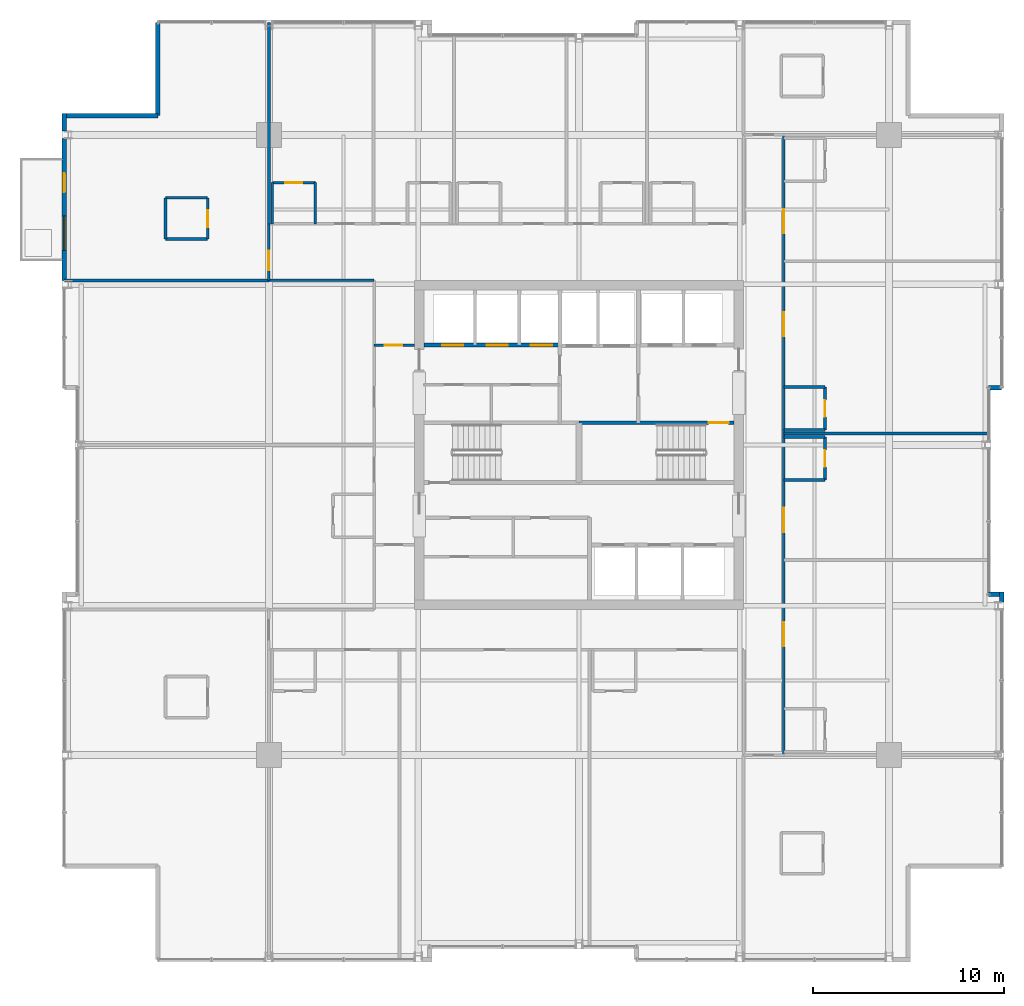
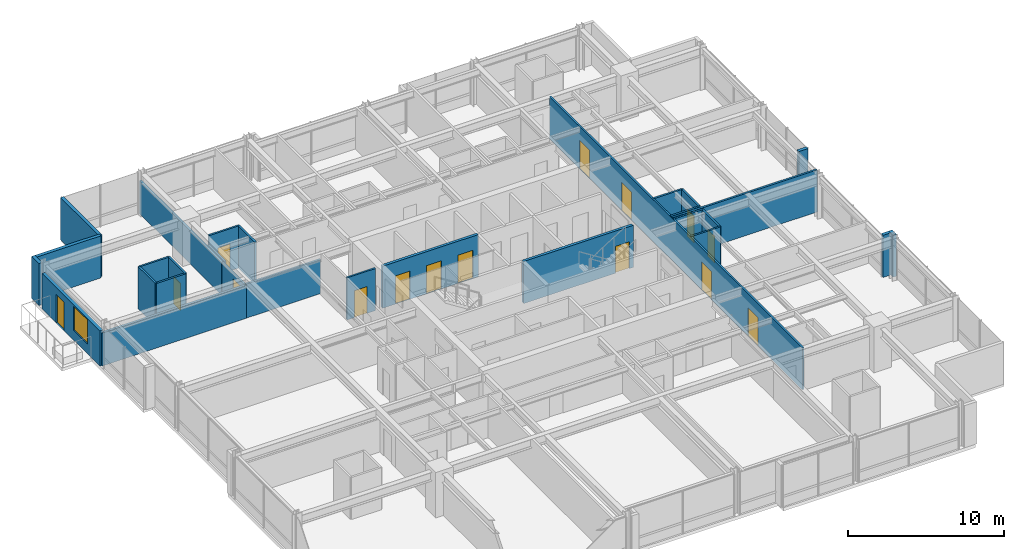
# One storey, part 27 of 31: 29 walls, 15 doors, 1 window, 16 openings.
"""IFC4 building model written with IfcOpenShell, lengths in metres."""

from ifc_helpers import new_model, si_unit, direction, frame, frame_2d, origin, place, context, subcontext, project, spatial, rectangle, extrude, material, layer, layer_set, type_object, element, fill, save


model = new_model("IFC4")

# Units and contexts
model_context = context("Model", 3, precision=1e-05, world=origin(), true_north=direction((0.0, 1.0)))
body_context = subcontext(model_context, "Body", "Model", "MODEL_VIEW")
ifc_project = project(units=[si_unit("LENGTHUNIT", "METRE"), si_unit("AREAUNIT", "SQUARE_METRE"), si_unit("VOLUMEUNIT", "CUBIC_METRE"), si_unit("PLANEANGLEUNIT", "RADIAN"), si_unit("MASSUNIT", "GRAM", prefix="KILO")], contexts=[model_context])

# Site, building, storey
site_placement = place(None, origin())
site = spatial("IfcSite", under=ifc_project, at=site_placement, CompositionType="ELEMENT")
building_placement = place(site_placement, origin())
building = spatial("IfcBuilding", under=site, at=building_placement, Name="Drelvath Grand Hotel", CompositionType="ELEMENT")
storey_placement = place(building_placement, frame((0.0, 0.0, 185.89990234375)))
storey = spatial("IfcBuildingStorey", under=building, at=storey_placement, Name="L48", CompositionType="ELEMENT", Elevation=185.89990234375)

# Wall, openings, doors
ifc_material_1 = material(Name="Concrete C40/50", Category="concrete")
ifc_layer_1 = layer(ifc_material_1, 0.199951171875)
ifc_layer_set_1 = layer_set([ifc_layer_1], Name="Concrete C40/50")
wall_type_1 = type_object("IfcWallType", Name="Core Hoistway Fire Wall 200", PredefinedType="SOLIDWALL", material=ifc_layer_set_1)
wall_1_placement = place(storey_placement, frame((-8.10009765625, 32.219970703125, 0.0), z_axis=(0.0, 0.0, 1.0), x_axis=(1.0, 0.0, 0.0)))
wall_1 = element("IfcWall", 1, at=wall_1_placement, inside=storey, type_object=wall_type_1, Name="L48 Bank 3 Hoistway Wall", PredefinedType="SOLIDWALL", context=body_context, shape_type="SweptSolid", body=[
    extrude(rectangle(XDim=7.10009765625, YDim=0.199951171875, at=frame_2d((3.550048828125, 0.0))), origin(), (0.0, 0.0, 1.0), 3.2900390625),
])
opening_1_placement = place(wall_1_placement, frame((0.949951171875, 0.0, 0.0)))
opening_1 = element("IfcOpeningElement", 2, at=opening_1_placement, cuts=wall_1, Name="Opening LD-PE-7", PredefinedType="OPENING", context=body_context, shape_type="SweptSolid", body=[
    extrude(rectangle(XDim=1.10009765625, YDim=2.199951171875, at=frame_2d((0.550048828125, 1.10009765625))), frame((0.0, 0.10986328125, 0.0), z_axis=(0.0, -1.0, 0.0), x_axis=(1.0, 0.0, 0.0)), (0.0, 0.0, 1.0), 0.219970703125),
])
opening_2_placement = place(wall_1_placement, frame((3.27001953125, 0.0, 0.0)))
opening_2 = element("IfcOpeningElement", 3, at=opening_2_placement, cuts=wall_1, Name="Opening LD-PE-8", PredefinedType="OPENING", context=body_context, shape_type="SweptSolid", body=[
    extrude(rectangle(XDim=1.10009765625, YDim=2.199951171875, at=frame_2d((0.550048828125, 1.10009765625))), frame((0.0, 0.10986328125, 0.0), z_axis=(0.0, -1.0, 0.0), x_axis=(1.0, 0.0, 0.0)), (0.0, 0.0, 1.0), 0.219970703125),
])
opening_3_placement = place(wall_1_placement, frame((5.590087890625, 0.0, 0.0)))
opening_3 = element("IfcOpeningElement", 4, at=opening_3_placement, cuts=wall_1, Name="Opening LD-PE-9", PredefinedType="OPENING", context=body_context, shape_type="SweptSolid", body=[
    extrude(rectangle(XDim=1.10009765625, YDim=2.199951171875, at=frame_2d((0.550048828125, 1.10009765625))), frame((0.0, 0.10986328125, 0.0), z_axis=(0.0, -1.0, 0.0), x_axis=(1.0, 0.0, 0.0)), (0.0, 0.0, 1.0), 0.219970703125),
])
ifc_material_2 = material(Name="Stainless Steel S355", Category="steel")
door_type_1 = type_object("IfcDoorType", Name="Passenger Lift Sliding Landing Door 1100x2200", OperationType="NOTDEFINED", PredefinedType="DOOR", material=ifc_material_2)
door_1_placement = place(opening_1_placement, origin())
door_1 = element("IfcDoor", 5, at=door_1_placement, inside=storey, type_object=door_type_1, Name="L48 Lift PE-7 Landing Door", OperationType="SLIDING_TO_LEFT", OverallHeight=2.199951171875, OverallWidth=1.10009765625, PredefinedType="DOOR", context=body_context, shape_type="SweptSolid", body=[
    extrude(rectangle(XDim=1.10009765625, YDim=2.199951171875, at=frame_2d((0.550048828125, 1.10009765625))), frame((0.0, 0.02490234375, 0.0), z_axis=(0.0, -1.0, 0.0), x_axis=(1.0, 0.0, 0.0)), (0.0, 0.0, 1.0), 0.050048828125),
])
fill(opening_1, door_1)
door_2_placement = place(opening_2_placement, origin())
door_2 = element("IfcDoor", 6, at=door_2_placement, inside=storey, type_object=door_type_1, Name="L48 Lift PE-8 Landing Door", OperationType="SLIDING_TO_LEFT", OverallHeight=2.199951171875, OverallWidth=1.10009765625, PredefinedType="DOOR", context=body_context, shape_type="SweptSolid", body=[
    extrude(rectangle(XDim=1.10009765625, YDim=2.199951171875, at=frame_2d((0.550048828125, 1.10009765625))), frame((0.0, 0.02490234375, 0.0), z_axis=(0.0, -1.0, 0.0), x_axis=(1.0, 0.0, 0.0)), (0.0, 0.0, 1.0), 0.050048828125),
])
fill(opening_2, door_2)
door_3_placement = place(opening_3_placement, origin())
door_3 = element("IfcDoor", 7, at=door_3_placement, inside=storey, type_object=door_type_1, Name="L48 Lift PE-9 Landing Door", OperationType="SLIDING_TO_LEFT", OverallHeight=2.199951171875, OverallWidth=1.10009765625, PredefinedType="DOOR", context=body_context, shape_type="SweptSolid", body=[
    extrude(rectangle(XDim=1.10009765625, YDim=2.199951171875, at=frame_2d((0.550048828125, 1.10009765625))), frame((0.0, 0.02490234375, 0.0), z_axis=(0.0, -1.0, 0.0), x_axis=(1.0, 0.0, 0.0)), (0.0, 0.0, 1.0), 0.050048828125),
])
fill(opening_3, door_3)

# Wall, opening, door
ifc_layer_2 = layer(ifc_material_1, 0.199951171875)
ifc_layer_set_2 = layer_set([ifc_layer_2], Name="Concrete C40/50")
wall_type_2 = type_object("IfcWallType", Name="Core Shaft Fire Wall 200", PredefinedType="SOLIDWALL", material=ifc_layer_set_2)
wall_2_placement = place(storey_placement, frame((8.10009765625, 28.159912109375, 0.0), z_axis=(0.0, 0.0, 1.0), x_axis=(-1.0, 0.0, 0.0)))
wall_2 = element("IfcWall", 8, at=wall_2_placement, inside=storey, type_object=wall_type_2, Name="L48 Stair ST-2 North Wall", PredefinedType="SOLIDWALL", context=body_context, shape_type="SweptSolid", body=[
    extrude(rectangle(XDim=8.10009765625, YDim=0.199951171875, at=frame_2d((4.050048828125, 0.0))), origin(), (0.0, 0.0, 1.0), 3.2900390625),
])
opening_4_placement = place(wall_2_placement, frame((0.280029296875, 0.0, 0.0)))
opening_4 = element("IfcOpeningElement", 9, at=opening_4_placement, cuts=wall_2, Name="Opening D-T3G4-002", PredefinedType="OPENING", context=body_context, shape_type="SweptSolid", body=[
    extrude(rectangle(XDim=1.050048828125, YDim=2.10009765625, at=frame_2d((0.52490234375, 1.050048828125))), frame((0.0, 0.10986328125, 0.0), z_axis=(0.0, -1.0, 0.0), x_axis=(1.0, 0.0, 0.0)), (0.0, 0.0, 1.0), 0.219970703125),
])
ifc_material_3 = material(Name="Painted Steel S275", Category="steel")
door_type_2 = type_object("IfcDoorType", Name="Tower Stairwell Fire Door 1050x2100", OperationType="NOTDEFINED", PredefinedType="DOOR", material=ifc_material_3)
door_4_placement = place(opening_4_placement, origin())
door_4 = element("IfcDoor", 10, at=door_4_placement, inside=storey, type_object=door_type_2, Name="L48 Exit Stair ST-2 Door", OperationType="SINGLE_SWING_LEFT", OverallHeight=2.10009765625, OverallWidth=1.050048828125, PredefinedType="DOOR", context=body_context, shape_type="SweptSolid", body=[
    extrude(rectangle(XDim=1.050048828125, YDim=2.10009765625, at=frame_2d((0.52490234375, 1.050048828125))), frame((0.0, 0.02490234375, 0.0), z_axis=(0.0, -1.0, 0.0), x_axis=(1.0, 0.0, 0.0)), (0.0, 0.0, 1.0), 0.050048828125),
])
fill(opening_4, door_4)

ifc_material_4 = material(Name="Gypsum Fireboard Partition")
ifc_layer_3 = layer(ifc_material_4, 0.135009765625)
ifc_layer_set_3 = layer_set([ifc_layer_3], Name="Gypsum Fireboard Partition")
wall_type_3 = type_object("IfcWallType", Name="Corridor Fire Barrier Wall 135", PredefinedType="PARTITIONING", material=ifc_layer_set_3)
wall_3_placement = place(storey_placement, frame((-10.699951171875, 32.199951171875, 0.0), z_axis=(0.0, 0.0, 1.0), x_axis=(1.0, 0.0, 0.0)))
wall_3 = element("IfcWall", 11, at=wall_3_placement, inside=storey, type_object=wall_type_3, Name="L48 West Foyer North Wall", PredefinedType="PARTITIONING", context=body_context, shape_type="SweptSolid", body=[
    extrude(rectangle(XDim=2.099853515625, YDim=0.135009765625, at=frame_2d((1.0498046875, 0.0))), origin(), (0.0, 0.0, 1.0), 3.2900390625),
])
opening_5_placement = place(wall_3_placement, frame((0.550048828125, 0.0, 0.0)))
opening_5 = element("IfcOpeningElement", 12, at=opening_5_placement, cuts=wall_3, Name="Opening D-T3G4-025", PredefinedType="OPENING", context=body_context, shape_type="SweptSolid", body=[
    extrude(rectangle(XDim=0.919921875, YDim=2.10009765625, at=frame_2d((0.4599609375, 1.050048828125))), frame((0.0, 0.077392578125, 0.0), z_axis=(0.0, -1.0, 0.0), x_axis=(1.0, 0.0, 0.0)), (0.0, 0.0, 1.0), 0.155029296875),
])
door_type_3 = type_object("IfcDoorType", Name="Staff Utility Door 920x2100", OperationType="NOTDEFINED", PredefinedType="DOOR", material=ifc_material_3)
door_5_placement = place(opening_5_placement, origin())
door_5 = element("IfcDoor", 13, at=door_5_placement, inside=storey, type_object=door_type_3, Name="L48 West Pantry Door", OperationType="SINGLE_SWING_LEFT", OverallHeight=2.10009765625, OverallWidth=0.919921875, PredefinedType="DOOR", context=body_context, shape_type="SweptSolid", body=[
    extrude(rectangle(XDim=0.919921875, YDim=2.10009765625, at=frame_2d((0.4599609375, 1.050048828125))), frame((0.0, 0.02490234375, 0.0), z_axis=(0.0, -1.0, 0.0), x_axis=(1.0, 0.0, 0.0)), (0.0, 0.0, 1.0), 0.050048828125),
])
fill(opening_5, door_5)

# Wall
wall_4_placement = place(storey_placement, frame((-16.199951171875, 35.60009765625, 0.0), z_axis=(0.0, 0.0, 1.0), x_axis=(1.0, 0.0, 0.0)))
element("IfcWall", 14, at=wall_4_placement, inside=storey, type_object=wall_type_3, Name="L48 NW Stub South Wall", PredefinedType="PARTITIONING", context=body_context, shape_type="SweptSolid", body=[
    extrude(rectangle(XDim=5.5, YDim=0.135009765625, at=frame_2d((2.75, 0.0))), origin(), (0.0, 0.0, 1.0), 2.66748046875),
])

# Wall, openings, doors
wall_5_placement = place(storey_placement, frame((10.699951171875, 10.800048828125, 0.0), z_axis=(0.0, 0.0, 1.0), x_axis=(0.0, 1.0, 0.0)))
wall_5 = element("IfcWall", 15, at=wall_5_placement, inside=storey, type_object=wall_type_3, Name="L48 East Spine Corridor Wall", PredefinedType="PARTITIONING", context=body_context, shape_type="SweptSolid", body=[
    extrude(rectangle(XDim=32.39990234375, YDim=0.135009765625, at=frame_2d((16.199951171875, 0.0))), origin(), (0.0, 0.0, 1.0), 3.2900390625),
])
opening_6_placement = place(wall_5_placement, frame((5.68505859375, 0.0, 0.0)))
opening_6 = element("IfcOpeningElement", 16, at=opening_6_placement, cuts=wall_5, Name="Opening D-T3G4-050", PredefinedType="OPENING", context=body_context, shape_type="SweptSolid", body=[
    extrude(rectangle(XDim=1.260009765625, YDim=2.199951171875, at=frame_2d((0.6298828125, 1.10009765625))), frame((0.0, 0.077392578125, 0.0), z_axis=(0.0, -1.0, 0.0), x_axis=(1.0, 0.0, 0.0)), (0.0, 0.0, 1.0), 0.155029296875),
])
opening_7_placement = place(wall_5_placement, frame((11.655029296875, 0.0, 0.0)))
opening_7 = element("IfcOpeningElement", 17, at=opening_7_placement, cuts=wall_5, Name="Opening D-T3G4-052", PredefinedType="OPENING", context=body_context, shape_type="SweptSolid", body=[
    extrude(rectangle(XDim=1.260009765625, YDim=2.199951171875, at=frame_2d((0.6298828125, 1.10009765625))), frame((0.0, 0.077392578125, 0.0), z_axis=(0.0, -1.0, 0.0), x_axis=(1.0, 0.0, 0.0)), (0.0, 0.0, 1.0), 0.155029296875),
])
opening_8_placement = place(wall_5_placement, frame((21.885009765625, 0.0, 0.0)))
opening_8 = element("IfcOpeningElement", 18, at=opening_8_placement, cuts=wall_5, Name="Opening D-T3G4-054", PredefinedType="OPENING", context=body_context, shape_type="SweptSolid", body=[
    extrude(rectangle(XDim=1.260009765625, YDim=2.199951171875, at=frame_2d((0.6298828125, 1.10009765625))), frame((0.0, 0.077392578125, 0.0), z_axis=(0.0, -1.0, 0.0), x_axis=(1.0, 0.0, 0.0)), (0.0, 0.0, 1.0), 0.155029296875),
])
opening_9_placement = place(wall_5_placement, frame((27.2548828125, 0.0, 0.0)))
opening_9 = element("IfcOpeningElement", 19, at=opening_9_placement, cuts=wall_5, Name="Opening D-T3G4-056", PredefinedType="OPENING", context=body_context, shape_type="SweptSolid", body=[
    extrude(rectangle(XDim=1.260009765625, YDim=2.199951171875, at=frame_2d((0.6298828125, 1.10009765625))), frame((0.0, 0.077392578125, 0.0), z_axis=(0.0, -1.0, 0.0), x_axis=(1.0, 0.0, 0.0)), (0.0, 0.0, 1.0), 0.155029296875),
])
ifc_material_5 = material(Name="Hardwood Walnut Timber", Category="wood")
door_type_4 = type_object("IfcDoorType", Name="Suite Entrance Fire Door 1260x2200", OperationType="NOTDEFINED", PredefinedType="DOOR", material=ifc_material_5)
door_6_placement = place(opening_6_placement, origin())
door_6 = element("IfcDoor", 20, at=door_6_placement, inside=storey, type_object=door_type_4, Name="L48 Executive Suite Entry Door", OperationType="SINGLE_SWING_RIGHT", OverallHeight=2.199951171875, OverallWidth=1.260009765625, PredefinedType="DOOR", context=body_context, shape_type="SweptSolid", body=[
    extrude(rectangle(XDim=1.260009765625, YDim=2.199951171875, at=frame_2d((0.6298828125, 1.10009765625))), frame((0.0, 0.02490234375, 0.0), z_axis=(0.0, -1.0, 0.0), x_axis=(1.0, 0.0, 0.0)), (0.0, 0.0, 1.0), 0.050048828125),
])
fill(opening_6, door_6)
door_7_placement = place(opening_7_placement, origin())
door_7 = element("IfcDoor", 21, at=door_7_placement, inside=storey, type_object=door_type_4, Name="L48 Executive Suite Entry Door", OperationType="SINGLE_SWING_RIGHT", OverallHeight=2.199951171875, OverallWidth=1.260009765625, PredefinedType="DOOR", context=body_context, shape_type="SweptSolid", body=[
    extrude(rectangle(XDim=1.260009765625, YDim=2.199951171875, at=frame_2d((0.6298828125, 1.10009765625))), frame((0.0, 0.02490234375, 0.0), z_axis=(0.0, -1.0, 0.0), x_axis=(1.0, 0.0, 0.0)), (0.0, 0.0, 1.0), 0.050048828125),
])
fill(opening_7, door_7)
door_8_placement = place(opening_8_placement, origin())
door_8 = element("IfcDoor", 22, at=door_8_placement, inside=storey, type_object=door_type_4, Name="L48 Executive Suite Entry Door", OperationType="SINGLE_SWING_RIGHT", OverallHeight=2.199951171875, OverallWidth=1.260009765625, PredefinedType="DOOR", context=body_context, shape_type="SweptSolid", body=[
    extrude(rectangle(XDim=1.260009765625, YDim=2.199951171875, at=frame_2d((0.6298828125, 1.10009765625))), frame((0.0, 0.02490234375, 0.0), z_axis=(0.0, -1.0, 0.0), x_axis=(1.0, 0.0, 0.0)), (0.0, 0.0, 1.0), 0.050048828125),
])
fill(opening_8, door_8)
door_9_placement = place(opening_9_placement, origin())
door_9 = element("IfcDoor", 23, at=door_9_placement, inside=storey, type_object=door_type_4, Name="L48 Executive Suite Entry Door", OperationType="SINGLE_SWING_RIGHT", OverallHeight=2.199951171875, OverallWidth=1.260009765625, PredefinedType="DOOR", context=body_context, shape_type="SweptSolid", body=[
    extrude(rectangle(XDim=1.260009765625, YDim=2.199951171875, at=frame_2d((0.6298828125, 1.10009765625))), frame((0.0, 0.02490234375, 0.0), z_axis=(0.0, -1.0, 0.0), x_axis=(1.0, 0.0, 0.0)), (0.0, 0.0, 1.0), 0.050048828125),
])
fill(opening_9, door_9)

# Wall, opening, door
wall_6_placement = place(storey_placement, frame((-16.199951171875, 35.60009765625, 0.0), z_axis=(0.0, 0.0, 1.0), x_axis=(0.0, 1.0, 0.0)))
wall_6 = element("IfcWall", 24, at=wall_6_placement, inside=storey, type_object=wall_type_3, Name="L48 North Stub West End", PredefinedType="PARTITIONING", context=body_context, shape_type="SweptSolid", body=[
    extrude(rectangle(XDim=2.949951171875, YDim=0.135009765625, at=frame_2d((1.47509765625, 0.0))), origin(), (0.0, 0.0, 1.0), 2.57958984375),
])
opening_10_placement = place(wall_6_placement, frame((0.52001953125, 0.0, 0.0)))
opening_10 = element("IfcOpeningElement", 25, at=opening_10_placement, cuts=wall_6, Name="Opening D-T3G4-029", PredefinedType="OPENING", context=body_context, shape_type="SweptSolid", body=[
    extrude(rectangle(XDim=1.02001953125, YDim=2.14990234375, at=frame_2d((0.510009765625, 1.074951171875))), frame((0.0, 0.077392578125, 0.0), z_axis=(0.0, -1.0, 0.0), x_axis=(1.0, 0.0, 0.0)), (0.0, 0.0, 1.0), 0.155029296875),
])
door_type_5 = type_object("IfcDoorType", Name="Amenity Meeting Fire Door 1020x2150", OperationType="NOTDEFINED", PredefinedType="DOOR", material=ifc_material_5)
door_10_placement = place(opening_10_placement, origin())
door_10 = element("IfcDoor", 26, at=door_10_placement, inside=storey, type_object=door_type_5, Name="L48 Executive Suite Entry Door", OperationType="SINGLE_SWING_LEFT", OverallHeight=2.14990234375, OverallWidth=1.02001953125, PredefinedType="DOOR", context=body_context, shape_type="SweptSolid", body=[
    extrude(rectangle(XDim=1.02001953125, YDim=2.14990234375, at=frame_2d((0.510009765625, 1.074951171875))), frame((0.0, 0.02490234375, 0.0), z_axis=(0.0, -1.0, 0.0), x_axis=(1.0, 0.0, 0.0)), (0.0, 0.0, 1.0), 0.050048828125),
])
fill(opening_10, door_10)

# Walls
ifc_material_6 = material(Name="Moisture-Resistant Gypsum Board")
ifc_layer_4 = layer(ifc_material_6, 0.139892578125)
ifc_layer_set_4 = layer_set([ifc_layer_4], Name="Moisture-Resistant Gypsum Board")
wall_type_4 = type_object("IfcWallType", Name="En-Suite Plumbing Wall 140", PredefinedType="PLUMBINGWALL", material=ifc_layer_set_4)
for number, where, z_axis, x_axis, name in (
    (27, (-21.60009765625, 37.760009765625, 0.0), (0.0, 0.0, 1.0), (1.0, 0.0, 0.0), "L48 Corner En-Suite South"),
    (28, (-21.60009765625, 39.909912109375, 0.0), (0.0, 0.0, 1.0), (1.0, 0.0, 0.0), "L48 Corner En-Suite North"),
):
    element("IfcWall", number, at=place(storey_placement, frame(where, z_axis=z_axis, x_axis=x_axis)), inside=storey, type_object=wall_type_4, Name=name, PredefinedType="PLUMBINGWALL", context=body_context, shape_type="SweptSolid", body=[
        extrude(rectangle(XDim=2.2001953125, YDim=0.139892578125, at=frame_2d((1.10009765625, 0.0))), origin(), (0.0, 0.0, 1.0), 3.2900390625),
    ])
wall_7_placement = place(storey_placement, frame((-21.60009765625, 37.760009765625, 0.0), z_axis=(0.0, 0.0, 1.0), x_axis=(0.0, 1.0, 0.0)))
element("IfcWall", 29, at=wall_7_placement, inside=storey, type_object=wall_type_4, Name="L48 Corner En-Suite West", PredefinedType="PLUMBINGWALL", context=body_context, shape_type="SweptSolid", body=[
    extrude(rectangle(XDim=2.14990234375, YDim=0.139892578125, at=frame_2d((1.074951171875, 0.0))), origin(), (0.0, 0.0, 1.0), 3.2900390625),
])

# Wall, opening, door
wall_8_placement = place(storey_placement, frame((-19.39990234375, 37.760009765625, 0.0), z_axis=(0.0, 0.0, 1.0), x_axis=(0.0, 1.0, 0.0)))
wall_8 = element("IfcWall", 30, at=wall_8_placement, inside=storey, type_object=wall_type_4, Name="L48 Corner En-Suite East", PredefinedType="PLUMBINGWALL", context=body_context, shape_type="SweptSolid", body=[
    extrude(rectangle(XDim=2.14990234375, YDim=0.139892578125, at=frame_2d((1.074951171875, 0.0))), origin(), (0.0, 0.0, 1.0), 3.2900390625),
])
opening_11_placement = place(wall_8_placement, frame((0.6201171875, 0.0, 0.0)))
opening_11 = element("IfcOpeningElement", 31, at=opening_11_placement, cuts=wall_8, Name="Opening D-T3G4-028", PredefinedType="OPENING", context=body_context, shape_type="SweptSolid", body=[
    extrude(rectangle(XDim=0.8798828125, YDim=2.10009765625, at=frame_2d((0.43994140625, 1.050048828125))), frame((0.0, 0.079833984375, 0.0), z_axis=(0.0, -1.0, 0.0), x_axis=(1.0, 0.0, 0.0)), (0.0, 0.0, 1.0), 0.159912109375),
])
door_type_6 = type_object("IfcDoorType", Name="En-Suite Bathroom Door 880x2100", OperationType="NOTDEFINED", PredefinedType="DOOR", material=ifc_material_5)
door_11_placement = place(opening_11_placement, origin())
door_11 = element("IfcDoor", 32, at=door_11_placement, inside=storey, type_object=door_type_6, Name="L48 Corner En-Suite Door", OperationType="SINGLE_SWING_RIGHT", OverallHeight=2.10009765625, OverallWidth=0.8798828125, PredefinedType="DOOR", context=body_context, shape_type="SweptSolid", body=[
    extrude(rectangle(XDim=0.8798828125, YDim=2.10009765625, at=frame_2d((0.43994140625, 1.050048828125))), frame((0.0, 0.02490234375, 0.0), z_axis=(0.0, -1.0, 0.0), x_axis=(1.0, 0.0, 0.0)), (0.0, 0.0, 1.0), 0.050048828125),
])
fill(opening_11, door_11)

# Walls
wall_9_placement = place(storey_placement, frame((-16.02001953125, 38.550048828125, 0.0), z_axis=(0.0, 0.0, 1.0), x_axis=(0.0, 1.0, 0.0)))
element("IfcWall", 33, at=wall_9_placement, inside=storey, type_object=wall_type_4, Name="L48 En-Suite Left Wall", PredefinedType="PLUMBINGWALL", context=body_context, shape_type="SweptSolid", body=[
    extrude(rectangle(XDim=2.14990234375, YDim=0.139892578125, at=frame_2d((1.074951171875, 0.0))), origin(), (0.0, 0.0, 1.0), 2.57958984375),
])
wall_10_placement = place(storey_placement, frame((-13.77001953125, 38.550048828125, 0.0), z_axis=(0.0, 0.0, 1.0), x_axis=(0.0, 1.0, 0.0)))
element("IfcWall", 34, at=wall_10_placement, inside=storey, type_object=wall_type_4, Name="L48 En-Suite Right Wall", PredefinedType="PLUMBINGWALL", context=body_context, shape_type="SweptSolid", body=[
    extrude(rectangle(XDim=2.14990234375, YDim=0.139892578125, at=frame_2d((1.074951171875, 0.0))), origin(), (0.0, 0.0, 1.0), 3.2900390625),
])

# Wall, opening, door
wall_11_placement = place(storey_placement, frame((-16.02001953125, 40.699951171875, 0.0), z_axis=(0.0, 0.0, 1.0), x_axis=(1.0, 0.0, 0.0)))
wall_11 = element("IfcWall", 35, at=wall_11_placement, inside=storey, type_object=wall_type_4, Name="L48 En-Suite Front Wall", PredefinedType="PLUMBINGWALL", context=body_context, shape_type="SweptSolid", body=[
    extrude(rectangle(XDim=2.25, YDim=0.139892578125, at=frame_2d((1.125, 0.0))), origin(), (0.0, 0.0, 1.0), 3.2900390625),
])
opening_12_placement = place(wall_11_placement, frame((0.68505859375, 0.0, 0.0)))
opening_12 = element("IfcOpeningElement", 36, at=opening_12_placement, cuts=wall_11, Name="Opening D-T3G4-039", PredefinedType="OPENING", context=body_context, shape_type="SweptSolid", body=[
    extrude(rectangle(XDim=0.8798828125, YDim=2.10009765625, at=frame_2d((0.43994140625, 1.050048828125))), frame((0.0, 0.079833984375, 0.0), z_axis=(0.0, -1.0, 0.0), x_axis=(1.0, 0.0, 0.0)), (0.0, 0.0, 1.0), 0.159912109375),
])
door_12_placement = place(opening_12_placement, origin())
door_12 = element("IfcDoor", 37, at=door_12_placement, inside=storey, type_object=door_type_6, Name="L48 En-Suite Bathroom Door", OperationType="SINGLE_SWING_LEFT", OverallHeight=2.10009765625, OverallWidth=0.8798828125, PredefinedType="DOOR", context=body_context, shape_type="SweptSolid", body=[
    extrude(rectangle(XDim=0.8798828125, YDim=2.10009765625, at=frame_2d((0.43994140625, 1.050048828125))), frame((0.0, 0.02490234375, 0.0), z_axis=(0.0, -1.0, 0.0), x_axis=(1.0, 0.0, 0.0)), (0.0, 0.0, 1.0), 0.050048828125),
])
fill(opening_12, door_12)

# Walls
for number, where, z_axis, x_axis, name in (
    (38, (10.699951171875, 25.169921875, 0.0), (0.0, 0.0, 1.0), (1.0, 0.0, 0.0), "L48 En-Suite Left Wall"),
    (39, (10.699951171875, 27.419921875, 0.0), (0.0, 0.0, 1.0), (1.0, 0.0, 0.0), "L48 En-Suite Right Wall"),
):
    element("IfcWall", number, at=place(storey_placement, frame(where, z_axis=z_axis, x_axis=x_axis)), inside=storey, type_object=wall_type_4, Name=name, PredefinedType="PLUMBINGWALL", context=body_context, shape_type="SweptSolid", body=[
        extrude(rectangle(XDim=2.150146484375, YDim=0.139892578125, at=frame_2d((1.0751953125, 0.0))), origin(), (0.0, 0.0, 1.0), 3.2900390625),
    ])

# Wall, opening, door
wall_12_placement = place(storey_placement, frame((12.85009765625, 25.169921875, 0.0), z_axis=(0.0, 0.0, 1.0), x_axis=(0.0, 1.0, 0.0)))
wall_12 = element("IfcWall", 40, at=wall_12_placement, inside=storey, type_object=wall_type_4, Name="L48 En-Suite Front Wall", PredefinedType="PLUMBINGWALL", context=body_context, shape_type="SweptSolid", body=[
    extrude(rectangle(XDim=2.25, YDim=0.139892578125, at=frame_2d((1.125, 0.0))), origin(), (0.0, 0.0, 1.0), 3.2900390625),
])
opening_13_placement = place(wall_12_placement, frame((0.68505859375, 0.0, 0.0)))
opening_13 = element("IfcOpeningElement", 41, at=opening_13_placement, cuts=wall_12, Name="Opening D-T3G4-051", PredefinedType="OPENING", context=body_context, shape_type="SweptSolid", body=[
    extrude(rectangle(XDim=0.8798828125, YDim=2.10009765625, at=frame_2d((0.43994140625, 1.050048828125))), frame((0.0, 0.079833984375, 0.0), z_axis=(0.0, -1.0, 0.0), x_axis=(1.0, 0.0, 0.0)), (0.0, 0.0, 1.0), 0.159912109375),
])
door_13_placement = place(opening_13_placement, origin())
door_13 = element("IfcDoor", 42, at=door_13_placement, inside=storey, type_object=door_type_6, Name="L48 En-Suite Bathroom Door", OperationType="SINGLE_SWING_LEFT", OverallHeight=2.10009765625, OverallWidth=0.8798828125, PredefinedType="DOOR", context=body_context, shape_type="SweptSolid", body=[
    extrude(rectangle(XDim=0.8798828125, YDim=2.10009765625, at=frame_2d((0.43994140625, 1.050048828125))), frame((0.0, 0.02490234375, 0.0), z_axis=(0.0, -1.0, 0.0), x_axis=(1.0, 0.0, 0.0)), (0.0, 0.0, 1.0), 0.050048828125),
])
fill(opening_13, door_13)

# Walls
for number, where, z_axis, x_axis, name in (
    (43, (10.699951171875, 27.780029296875, 0.0), (0.0, 0.0, 1.0), (1.0, 0.0, 0.0), "L48 En-Suite Left Wall"),
    (44, (10.699951171875, 30.030029296875, 0.0), (0.0, 0.0, 1.0), (1.0, 0.0, 0.0), "L48 En-Suite Right Wall"),
):
    element("IfcWall", number, at=place(storey_placement, frame(where, z_axis=z_axis, x_axis=x_axis)), inside=storey, type_object=wall_type_4, Name=name, PredefinedType="PLUMBINGWALL", context=body_context, shape_type="SweptSolid", body=[
        extrude(rectangle(XDim=2.150146484375, YDim=0.139892578125, at=frame_2d((1.0751953125, 0.0))), origin(), (0.0, 0.0, 1.0), 3.2900390625),
    ])

# Wall, opening, door
wall_13_placement = place(storey_placement, frame((12.85009765625, 27.780029296875, 0.0), z_axis=(0.0, 0.0, 1.0), x_axis=(0.0, 1.0, 0.0)))
wall_13 = element("IfcWall", 45, at=wall_13_placement, inside=storey, type_object=wall_type_4, Name="L48 En-Suite Front Wall", PredefinedType="PLUMBINGWALL", context=body_context, shape_type="SweptSolid", body=[
    extrude(rectangle(XDim=2.25, YDim=0.139892578125, at=frame_2d((1.125, 0.0))), origin(), (0.0, 0.0, 1.0), 3.2900390625),
])
opening_14_placement = place(wall_13_placement, frame((0.68505859375, 0.0, 0.0)))
opening_14 = element("IfcOpeningElement", 46, at=opening_14_placement, cuts=wall_13, Name="Opening D-T3G4-053", PredefinedType="OPENING", context=body_context, shape_type="SweptSolid", body=[
    extrude(rectangle(XDim=0.8798828125, YDim=2.10009765625, at=frame_2d((0.43994140625, 1.050048828125))), frame((0.0, 0.079833984375, 0.0), z_axis=(0.0, -1.0, 0.0), x_axis=(1.0, 0.0, 0.0)), (0.0, 0.0, 1.0), 0.159912109375),
])
door_14_placement = place(opening_14_placement, origin())
door_14 = element("IfcDoor", 47, at=door_14_placement, inside=storey, type_object=door_type_6, Name="L48 En-Suite Bathroom Door", OperationType="SINGLE_SWING_LEFT", OverallHeight=2.10009765625, OverallWidth=0.8798828125, PredefinedType="DOOR", context=body_context, shape_type="SweptSolid", body=[
    extrude(rectangle(XDim=0.8798828125, YDim=2.10009765625, at=frame_2d((0.43994140625, 1.050048828125))), frame((0.0, 0.02490234375, 0.0), z_axis=(0.0, -1.0, 0.0), x_axis=(1.0, 0.0, 0.0)), (0.0, 0.0, 1.0), 0.050048828125),
])
fill(opening_14, door_14)

# Walls
ifc_material_7 = material(Name="Gypsum Acoustic Partition")
ifc_layer_5 = layer(ifc_material_7, 0.14990234375)
ifc_layer_set_5 = layer_set([ifc_layer_5], Name="Gypsum Acoustic Partition")
wall_type_5 = type_object("IfcWallType", Name="Guestroom Demising Wall 150", PredefinedType="PARTITIONING", material=ifc_layer_set_5)
wall_14_placement = place(storey_placement, frame((10.699951171875, 27.60009765625, 0.0), z_axis=(0.0, 0.0, 1.0), x_axis=(1.0, 0.0, 0.0)))
element("IfcWall", 48, at=wall_14_placement, inside=storey, type_object=wall_type_5, Name="L48 East Demising 2", PredefinedType="PARTITIONING", context=body_context, shape_type="SweptSolid", body=[
    extrude(rectangle(XDim=10.699951171875, YDim=0.14990234375, at=frame_2d((5.35009765625, 0.0))), origin(), (0.0, 0.0, 1.0), 3.2900390625),
])
ifc_layer_6 = layer(ifc_material_7, 0.1650390625)
ifc_layer_set_6 = layer_set([ifc_layer_6], Name="Gypsum Acoustic Partition")
wall_type_6 = type_object("IfcWallType", Name="Suite Demising Wall 165", PredefinedType="PARTITIONING", material=ifc_layer_set_6)
wall_15_placement = place(storey_placement, frame((-16.199951171875, 38.550048828125, 0.0), z_axis=(0.0, 0.0, 1.0), x_axis=(0.0, 1.0, 0.0)))
element("IfcWall", 49, at=wall_15_placement, inside=storey, type_object=wall_type_6, Name="L48 NW Suite East Wall", PredefinedType="PARTITIONING", context=body_context, shape_type="SweptSolid", body=[
    extrude(rectangle(XDim=10.530029296875, YDim=0.1650390625, at=frame_2d((5.26513671875, 0.0))), origin(), (0.0, 0.0, 1.0), 2.57958984375),
])
wall_16_placement = place(storey_placement, frame((-26.8798828125, 35.60009765625, 0.0), z_axis=(0.0, 0.0, 1.0), x_axis=(1.0, 0.0, 0.0)))
element("IfcWall", 50, at=wall_16_placement, inside=storey, type_object=wall_type_6, Name="L48 NW Suite South Wall", PredefinedType="PARTITIONING", context=body_context, shape_type="SweptSolid", body=[
    extrude(rectangle(XDim=10.679931640625, YDim=0.1650390625, at=frame_2d((5.33984375, 0.0))), origin(), (0.0, 0.0, 1.0), 2.57958984375),
])

# Wall, openings, window, door
ifc_material_8 = material(Name="Pale-Metal Insulated Aluminium Spandrel Assembly", Category="aluminium")
ifc_layer_7 = layer(ifc_material_8, 0.239990234375)
ifc_layer_set_7 = layer_set([ifc_layer_7], Name="Pale-Metal Insulated Aluminium Spandrel Assembly")
wall_type_7 = type_object("IfcWallType", Name="Tower Insulated Metal Spandrel Closure Wall 240", PredefinedType="STANDARD", material=ifc_layer_set_7)
wall_17_placement = place(storey_placement, frame((-26.8798828125, 35.591552734375, 0.0), z_axis=(0.0, 0.0, 1.0), x_axis=(0.0, 1.0, 0.0)))
wall_17 = element("IfcWall", 51, at=wall_17_placement, inside=storey, type_object=wall_type_7, Name="L48 Exterior Terrace Door Bay Wall WN2", PredefinedType="STANDARD", context=body_context, shape_type="SweptSolid", body=[
    extrude(rectangle(XDim=7.416748046875, YDim=0.239990234375, at=frame_2d((3.70849609375, 0.0))), origin(), (0.0, 0.0, 1.0), 2.75341796875),
])
opening_15_placement = place(wall_17_placement, frame((4.6083984375, 0.0, 0.0)))
opening_15 = element("IfcOpeningElement", 52, at=opening_15_placement, cuts=wall_17, Name="Opening TD-1000", PredefinedType="OPENING", context=body_context, shape_type="SweptSolid", body=[
    extrude(rectangle(XDim=1.0, YDim=2.199951171875, at=frame_2d((0.5, 1.10009765625))), frame((0.0, 0.1298828125, 0.0), z_axis=(0.0, -1.0, 0.0), x_axis=(1.0, 0.0, 0.0)), (0.0, 0.0, 1.0), 0.260009765625),
])
opening_16_placement = place(wall_17_placement, frame((1.57958984375, 0.0, 0.75)))
opening_16 = element("IfcOpeningElement", 53, at=opening_16_placement, cuts=wall_17, Name="Opening W-02", PredefinedType="OPENING", context=body_context, shape_type="SweptSolid", body=[
    extrude(rectangle(XDim=1.800048828125, YDim=1.9033203125, at=frame_2d((0.89990234375, 0.95166015625))), frame((0.0, 0.1298828125, 0.0), z_axis=(0.0, -1.0, 0.0), x_axis=(1.0, 0.0, 0.0)), (0.0, 0.0, 1.0), 0.260009765625),
])
ifc_material_9 = material(Name="Bronze Anodised Low-E Triple Glazing", Category="glass")
window_type = type_object("IfcWindowType", Name="Chicago Double-Pane Podium Window 1800x2400", PartitioningType="DOUBLE_PANEL_VERTICAL", PredefinedType="WINDOW", material=ifc_material_9)
window_placement = place(opening_16_placement, origin())
window = element("IfcWindow", 54, at=window_placement, inside=storey, type_object=window_type, Name="L48 Terrace Bay Companion Window WN2", OverallHeight=1.9033203125, OverallWidth=1.800048828125, PartitioningType="SINGLE_PANEL", PredefinedType="WINDOW", context=body_context, shape_type="SweptSolid", body=[
    extrude(rectangle(XDim=1.800048828125, YDim=1.9033203125, at=frame_2d((0.89990234375, 0.95166015625))), frame((0.0, 0.030029296875, 0.0), z_axis=(0.0, -1.0, 0.0), x_axis=(1.0, 0.0, 0.0)), (0.0, 0.0, 1.0), 0.06005859375),
])
fill(opening_16, window)
ifc_material_10 = material(Name="Anodised Aluminium Thermally Broken Glazed Door", Category="aluminium")
door_type_7 = type_object("IfcDoorType", Name="Terrace and Tree Balcony Glazed Door 1000x2200", OperationType="NOTDEFINED", PredefinedType="DOOR", material=ifc_material_10)
door_15_placement = place(opening_15_placement, origin())
door_15 = element("IfcDoor", 55, at=door_15_placement, inside=storey, type_object=door_type_7, Name="L48 Tree Balcony Door DOOR-L48-TBAL-1", OperationType="SINGLE_SWING_LEFT", OverallHeight=2.199951171875, OverallWidth=1.0, PredefinedType="DOOR", context=body_context, shape_type="SweptSolid", body=[
    extrude(rectangle(XDim=1.0, YDim=2.199951171875, at=frame_2d((0.5, 1.10009765625))), frame((0.0, 0.02490234375, 0.0), z_axis=(0.0, -1.0, 0.0), x_axis=(1.0, 0.0, 0.0)), (0.0, 0.0, 1.0), 0.050048828125),
])
fill(opening_15, door_15)

# Walls
wall_18_placement = place(storey_placement, frame((-26.8798828125, 43.3916015625, 0.0), z_axis=(0.0, 0.0, 1.0), x_axis=(0.0, 1.0, 0.0)))
element("IfcWall", 56, at=wall_18_placement, inside=storey, type_object=wall_type_7, Name="L48 Corner Pier Spandrel Wall WN3", PredefinedType="STANDARD", context=body_context, shape_type="SweptSolid", body=[
    extrude(rectangle(XDim=0.928466796875, YDim=0.239990234375, at=frame_2d((0.46435546875, 0.0))), origin(), (0.0, 0.0, 1.0), 3.2900390625),
])
wall_19_placement = place(storey_placement, frame((22.080078125, 19.320068359375, 0.0), z_axis=(0.0, 0.0, 1.0), x_axis=(0.0, -1.0, 0.0)))
element("IfcWall", 57, at=wall_19_placement, inside=storey, type_object=wall_type_7, Name="L48 Corner Pier Spandrel Wall ES3", PredefinedType="STANDARD", context=body_context, shape_type="SweptSolid", body=[
    extrude(rectangle(XDim=0.5283203125, YDim=0.239990234375, at=frame_2d((0.26416015625, 0.0))), origin(), (0.0, 0.0, 1.0), 3.2900390625),
])
wall_20_placement = place(storey_placement, frame((-26.760009765625, 44.199951171875, 0.0), z_axis=(0.0, 0.0, 1.0), x_axis=(1.0, 0.0, 0.0)))
element("IfcWall", 58, at=wall_20_placement, inside=storey, type_object=wall_type_7, Name="L48 Notched Corner Return Spandrel Wall CNW1", PredefinedType="STANDARD", context=body_context, shape_type="SweptSolid", body=[
    extrude(rectangle(XDim=4.760009765625, YDim=0.239990234375, at=frame_2d((2.3798828125, 0.0))), origin(), (0.0, 0.0, 1.0), 3.2900390625),
])
wall_21_placement = place(storey_placement, frame((-22.0, 44.199951171875, 0.0), z_axis=(0.0, 0.0, 1.0), x_axis=(0.0, 1.0, 0.0)))
element("IfcWall", 59, at=wall_21_placement, inside=storey, type_object=wall_type_7, Name="L48 Notched Corner Return Spandrel Wall CNW2", PredefinedType="STANDARD", context=body_context, shape_type="SweptSolid", body=[
    extrude(rectangle(XDim=4.880126953125, YDim=0.239990234375, at=frame_2d((2.43994140625, 0.0))), origin(), (0.0, 0.0, 1.0), 3.2900390625),
])
wall_22_placement = place(storey_placement, frame((22.080078125, 30.0, 0.0), z_axis=(0.0, 0.0, 1.0), x_axis=(-1.0, 0.0, 0.0)))
element("IfcWall", 60, at=wall_22_placement, inside=storey, type_object=wall_type_7, Name="L48 Notched Corner Return Spandrel Wall RE1", PredefinedType="STANDARD", context=body_context, shape_type="SweptSolid", body=[
    extrude(rectangle(XDim=0.68017578125, YDim=0.239990234375, at=frame_2d((0.340087890625, 0.0))), origin(), (0.0, 0.0, 1.0), 3.2900390625),
])
wall_23_placement = place(storey_placement, frame((21.39990234375, 19.199951171875, 0.0), z_axis=(0.0, 0.0, 1.0), x_axis=(1.0, 0.0, 0.0)))
element("IfcWall", 61, at=wall_23_placement, inside=storey, type_object=wall_type_7, Name="L48 Notched Corner Return Spandrel Wall RE2", PredefinedType="STANDARD", context=body_context, shape_type="SweptSolid", body=[
    extrude(rectangle(XDim=0.56005859375, YDim=0.239990234375, at=frame_2d((0.280029296875, 0.0))), origin(), (0.0, 0.0, 1.0), 3.2900390625),
])

save(model, "model.ifc")
